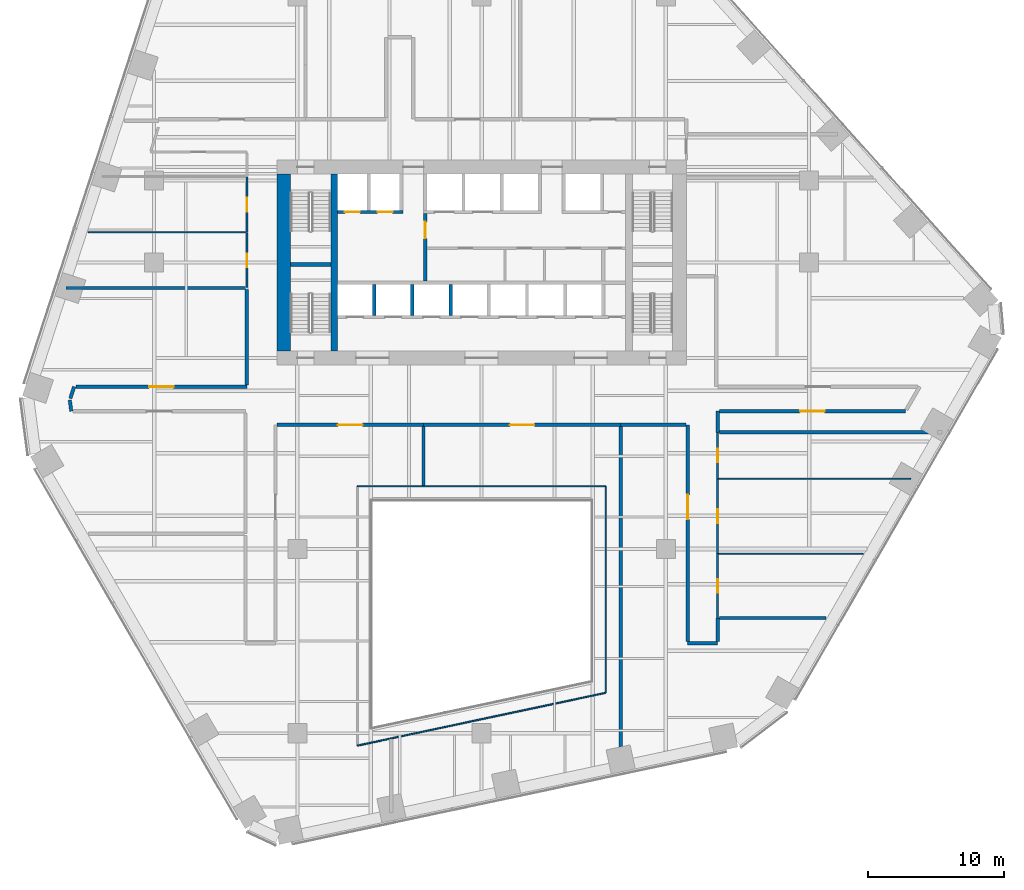
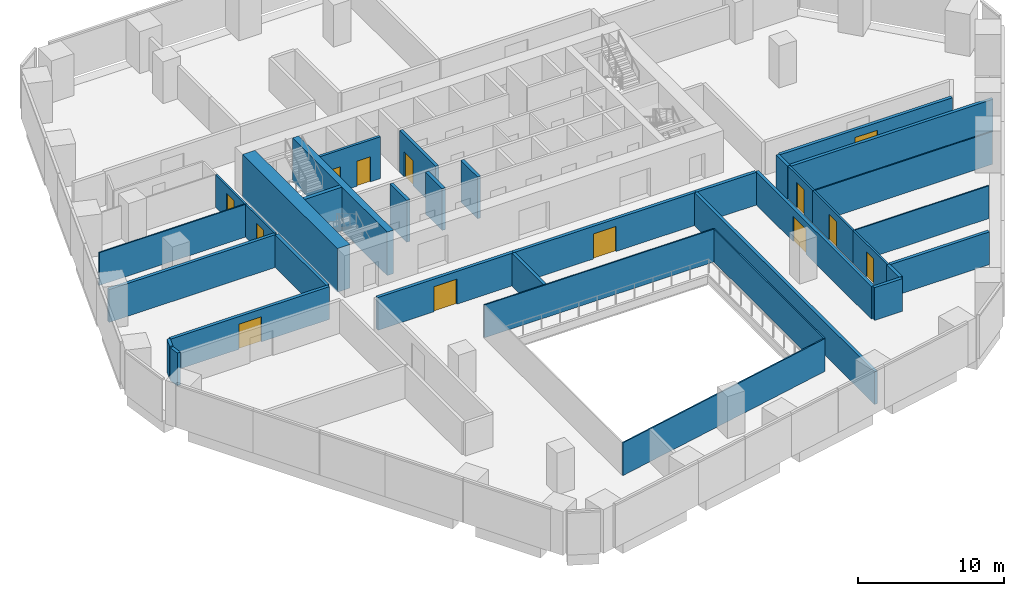
# One storey, part 14 of 20: 36 walls, 13 doors, 13 openings.
"""IFC4 building model written with IfcOpenShell, lengths in metres."""

from ifc_helpers import new_model, si_unit, direction, frame, frame_2d, origin, place, context, subcontext, project, spatial, rectangle, extrude, material, layer, layer_set, type_object, element, fill, save


model = new_model("IFC4")

# Units and contexts
model_context = context("Model", 3, precision=1e-05, world=origin(), true_north=direction((0.0, 1.0)))
body_context = subcontext(model_context, "Body", "Model", "MODEL_VIEW")
ifc_project = project(units=[si_unit("LENGTHUNIT", "METRE"), si_unit("AREAUNIT", "SQUARE_METRE"), si_unit("VOLUMEUNIT", "CUBIC_METRE"), si_unit("PLANEANGLEUNIT", "RADIAN"), si_unit("MASSUNIT", "GRAM", prefix="KILO")], contexts=[model_context])

# Site, building, storey
site_placement = place(None, origin())
site = spatial("IfcSite", under=ifc_project, at=site_placement, CompositionType="ELEMENT")
building_placement = place(site_placement, origin())
building = spatial("IfcBuilding", under=site, at=building_placement, Name="Isthmus Gate Tower", CompositionType="ELEMENT")
storey_placement = place(building_placement, frame((0.0, 0.0, 61.550048828125)))
storey = spatial("IfcBuildingStorey", under=building, at=storey_placement, Name="L13", CompositionType="ELEMENT", Elevation=61.550048828125)

# Wall, opening, door
ifc_material_1 = material(Name="Double-leaf acoustic stud wall, fire-rated", Category="gypsum")
ifc_layer_1 = layer(ifc_material_1, 0.25)
ifc_layer_set_1 = layer_set([ifc_layer_1], Name="ACOUSTIC WALL 250 60 MIN")
wall_type_1 = type_object("IfcWallType", Name="ACOUSTIC WALL 250 60 MIN", PredefinedType="PARTITIONING", material=ifc_layer_set_1)
wall_1_placement = place(storey_placement, frame((-4.2548828125, -4.39990234375, 0.0), z_axis=(0.0, 0.0, 1.0), x_axis=(-1.0, 0.0, 0.0)))
wall_1 = element("IfcWall", 1, at=wall_1_placement, inside=storey, type_object=wall_type_1, Name="L13 Acoustic Wall 250 60 Min", PredefinedType="PARTITIONING", context=body_context, shape_type="SweptSolid", body=[
    extrude(rectangle(XDim=10.72021484375, YDim=0.25, at=frame_2d((5.360107421875, 0.0))), origin(), (0.0, 0.0, 1.0), 2.7412109375),
])
opening_1_placement = place(wall_1_placement, frame((4.472412109375, 0.0, 0.0)))
opening_1 = element("IfcOpeningElement", 2, at=opening_1_placement, cuts=wall_1, Name="Opening DT-T1C-15", PredefinedType="OPENING", context=body_context, shape_type="SweptSolid", body=[
    extrude(rectangle(XDim=1.800048828125, YDim=2.10009765625, at=frame_2d((0.89990234375, 1.050048828125))), frame((0.0, 0.135009765625, 0.0), z_axis=(0.0, -1.0, 0.0), x_axis=(1.0, 0.0, 0.0)), (0.0, 0.0, 1.0), 0.27001953125),
])
ifc_material_2 = material(Name="Solid core timber door leaf, fire-rated", Category="wood")
door_type_1 = type_object("IfcDoorType", Name="FIRE DOOR ACOUSTIC ROOM 1800 X 2100 60 MIN", OperationType="DOUBLE_DOOR_DOUBLE_SWING", PredefinedType="DOOR", material=ifc_material_2)
door_1_placement = place(opening_1_placement, origin())
door_1 = element("IfcDoor", 3, at=door_1_placement, inside=storey, type_object=door_type_1, Name="L13 room door", OperationType="DOUBLE_DOOR_DOUBLE_SWING", OverallHeight=2.10009765625, OverallWidth=1.800048828125, PredefinedType="DOOR", context=body_context, shape_type="SweptSolid", body=[
    extrude(rectangle(XDim=1.800048828125, YDim=2.10009765625, at=frame_2d((0.89990234375, 1.050048828125))), frame((0.0, 0.02490234375, 0.0), z_axis=(0.0, -1.0, 0.0), x_axis=(1.0, 0.0, 0.0)), (0.0, 0.0, 1.0), 0.050048828125),
])
fill(opening_1, door_1)

wall_2_placement = place(storey_placement, frame((10.19189453125, -4.39990234375, 0.0), z_axis=(0.0, 0.0, 1.0), x_axis=(-1.0, 0.0, 0.0)))
wall_2 = element("IfcWall", 4, at=wall_2_placement, inside=storey, type_object=wall_type_1, Name="L13 Acoustic Wall 250 60 Min", PredefinedType="PARTITIONING", context=body_context, shape_type="SweptSolid", body=[
    extrude(rectangle(XDim=14.44677734375, YDim=0.25, at=frame_2d((7.223388671875, 0.0))), origin(), (0.0, 0.0, 1.0), 2.7412109375),
])
opening_2_placement = place(wall_2_placement, frame((6.323486328125, 0.0, 0.0)))
opening_2 = element("IfcOpeningElement", 5, at=opening_2_placement, cuts=wall_2, Name="Opening DT-T1C-16", PredefinedType="OPENING", context=body_context, shape_type="SweptSolid", body=[
    extrude(rectangle(XDim=1.800048828125, YDim=2.10009765625, at=frame_2d((0.89990234375, 1.050048828125))), frame((0.0, 0.135009765625, 0.0), z_axis=(0.0, -1.0, 0.0), x_axis=(1.0, 0.0, 0.0)), (0.0, 0.0, 1.0), 0.27001953125),
])
door_2_placement = place(opening_2_placement, origin())
door_2 = element("IfcDoor", 6, at=door_2_placement, inside=storey, type_object=door_type_1, Name="L13 room door", OperationType="DOUBLE_DOOR_DOUBLE_SWING", OverallHeight=2.10009765625, OverallWidth=1.800048828125, PredefinedType="DOOR", context=body_context, shape_type="SweptSolid", body=[
    extrude(rectangle(XDim=1.800048828125, YDim=2.10009765625, at=frame_2d((0.89990234375, 1.050048828125))), frame((0.0, 0.02490234375, 0.0), z_axis=(0.0, -1.0, 0.0), x_axis=(1.0, 0.0, 0.0)), (0.0, 0.0, 1.0), 0.050048828125),
])
fill(opening_2, door_2)

# Walls
wall_3_placement = place(storey_placement, frame((14.97509765625, -4.39990234375, 0.0), z_axis=(0.0, 0.0, 1.0), x_axis=(-1.0, 0.0, 0.0)))
element("IfcWall", 7, at=wall_3_placement, inside=storey, type_object=wall_type_1, Name="L13 Acoustic Wall 250 60 Min", PredefinedType="PARTITIONING", context=body_context, shape_type="SweptSolid", body=[
    extrude(rectangle(XDim=4.783203125, YDim=0.25, at=frame_2d((2.3916015625, 0.0))), origin(), (0.0, 0.0, 1.0), 2.7412109375),
])
wall_4_placement = place(storey_placement, frame((-30.069091796875, -3.39990234375, 0.0), z_axis=(0.0, 0.0, 1.0), x_axis=(-0.129642868584, 0.991560752867, 0.0)))
element("IfcWall", 8, at=wall_4_placement, inside=storey, type_object=wall_type_1, Name="L13 Acoustic Wall 250 60 Min", PredefinedType="PARTITIONING", context=body_context, shape_type="SweptSolid", body=[
    extrude(rectangle(XDim=0.824951171875, YDim=0.25, at=frame_2d((0.41259765625, 0.0))), origin(), (0.0, 0.0, 1.0), 2.7412109375),
])
wall_5_placement = place(storey_placement, frame((17.302001953125, -3.39990234375, 0.0), z_axis=(0.0, 0.0, 1.0), x_axis=(-0.00125845425, -0.999999208146, 0.0)))
element("IfcWall", 9, at=wall_5_placement, inside=storey, type_object=wall_type_1, Name="L13 Acoustic Wall 250 60 Min", PredefinedType="PARTITIONING", context=body_context, shape_type="SweptSolid", body=[
    extrude(rectangle(XDim=1.552001953125, YDim=0.25, at=frame_2d((0.77587890625, 0.0))), origin(), (0.0, 0.0, 1.0), 2.7412109375),
])

# Wall, opening, door
wall_6_placement = place(storey_placement, frame((31.06103515625, -3.39990234375, 0.0), z_axis=(0.0, 0.0, 1.0), x_axis=(-1.0, 0.0, 0.0)))
wall_6 = element("IfcWall", 10, at=wall_6_placement, inside=storey, type_object=wall_type_1, Name="L13 Acoustic Wall 250 60 Min", PredefinedType="PARTITIONING", context=body_context, shape_type="SweptSolid", body=[
    extrude(rectangle(XDim=13.634033203125, YDim=0.25, at=frame_2d((6.81689453125, 0.0))), origin(), (0.0, 0.0, 1.0), 2.7412109375),
])
opening_3_placement = place(wall_6_placement, frame((5.9169921875, 0.0, 0.0)))
opening_3 = element("IfcOpeningElement", 11, at=opening_3_placement, cuts=wall_6, Name="Opening DT-T1C-09", PredefinedType="OPENING", context=body_context, shape_type="SweptSolid", body=[
    extrude(rectangle(XDim=1.800048828125, YDim=2.10009765625, at=frame_2d((0.89990234375, 1.050048828125))), frame((0.0, 0.135009765625, 0.0), z_axis=(0.0, -1.0, 0.0), x_axis=(1.0, 0.0, 0.0)), (0.0, 0.0, 1.0), 0.27001953125),
])
door_3_placement = place(opening_3_placement, origin())
door_3 = element("IfcDoor", 12, at=door_3_placement, inside=storey, type_object=door_type_1, Name="L13 room door", OperationType="DOUBLE_DOOR_DOUBLE_SWING", OverallHeight=2.10009765625, OverallWidth=1.800048828125, PredefinedType="DOOR", context=body_context, shape_type="SweptSolid", body=[
    extrude(rectangle(XDim=1.800048828125, YDim=2.10009765625, at=frame_2d((0.89990234375, 1.050048828125))), frame((0.0, 0.02490234375, 0.0), z_axis=(0.0, -1.0, 0.0), x_axis=(1.0, 0.0, 0.0)), (0.0, 0.0, 1.0), 0.050048828125),
])
fill(opening_3, door_3)

# Walls
wall_7_placement = place(storey_placement, frame((17.300048828125, -20.39990234375, 0.0), z_axis=(0.0, 0.0, 1.0), x_axis=(-1.0, 0.0, 0.0)))
element("IfcWall", 13, at=wall_7_placement, inside=storey, type_object=wall_type_1, Name="L13 Acoustic Wall 250 60 Min", PredefinedType="PARTITIONING", context=body_context, shape_type="SweptSolid", body=[
    extrude(rectangle(XDim=2.199951171875, YDim=0.25, at=frame_2d((1.10009765625, 0.0))), origin(), (0.0, 0.0, 1.0), 2.7412109375),
])
wall_8_placement = place(storey_placement, frame((17.300048828125, -18.549072265625, 0.0), z_axis=(0.0, 0.0, 1.0), x_axis=(0.0, -1.0, 0.0)))
element("IfcWall", 14, at=wall_8_placement, inside=storey, type_object=wall_type_1, Name="L13 Acoustic Wall 250 60 Min", PredefinedType="PARTITIONING", context=body_context, shape_type="SweptSolid", body=[
    extrude(rectangle(XDim=1.725830078125, YDim=0.25, at=frame_2d((0.86279296875, 0.0))), origin(), (0.0, 0.0, 1.0), 2.7412109375),
])
wall_9_placement = place(storey_placement, frame((-30.450927734375, 5.6298828125, 0.0), z_axis=(0.0, 0.0, 1.0), x_axis=(1.0, 0.0, 0.0)))
element("IfcWall", 15, at=wall_9_placement, inside=storey, type_object=wall_type_1, Name="L13 Acoustic Wall 250 60 Min", PredefinedType="PARTITIONING", context=body_context, shape_type="SweptSolid", body=[
    extrude(rectangle(XDim=13.176025390625, YDim=0.25, at=frame_2d((6.587890625, 0.0))), origin(), (0.0, 0.0, 1.0), 2.7412109375),
])
wall_10_placement = place(storey_placement, frame((33.39794921875, -4.951904296875, 0.0), z_axis=(0.0, 0.0, 1.0), x_axis=(-1.0, 0.0, 0.0)))
element("IfcWall", 16, at=wall_10_placement, inside=storey, type_object=wall_type_1, Name="L13 Acoustic Wall 250 60 Min", PredefinedType="PARTITIONING", context=body_context, shape_type="SweptSolid", body=[
    extrude(rectangle(XDim=15.972900390625, YDim=0.25, at=frame_2d((7.986328125, 0.0))), origin(), (0.0, 0.0, 1.0), 2.7412109375),
])
wall_11_placement = place(storey_placement, frame((-30.13720703125, -2.463134765625, 0.0), z_axis=(0.0, 0.0, 1.0), x_axis=(0.309846187565, 0.950786695348, 0.0)))
element("IfcWall", 17, at=wall_11_placement, inside=storey, type_object=wall_type_1, Name="L13 Acoustic Wall 250 60 Min", PredefinedType="PARTITIONING", context=body_context, shape_type="SweptSolid", body=[
    extrude(rectangle(XDim=0.90771484375, YDim=0.25, at=frame_2d((0.453857421875, 0.0))), origin(), (0.0, 0.0, 1.0), 2.7412109375),
])

# Wall, opening, door
wall_12_placement = place(storey_placement, frame((-29.73095703125, -1.60009765625, 0.0), z_axis=(0.0, 0.0, 1.0), x_axis=(1.0, 0.0, 0.0)))
wall_12 = element("IfcWall", 18, at=wall_12_placement, inside=storey, type_object=wall_type_1, Name="L13 Acoustic Wall 250 60 Min", PredefinedType="PARTITIONING", context=body_context, shape_type="SweptSolid", body=[
    extrude(rectangle(XDim=12.531005859375, YDim=0.25, at=frame_2d((6.265625, 0.0))), origin(), (0.0, 0.0, 1.0), 2.7412109375),
])
opening_4_placement = place(wall_12_placement, frame((5.365478515625, 0.0, 0.0)))
opening_4 = element("IfcOpeningElement", 19, at=opening_4_placement, cuts=wall_12, Name="Opening DT-T1C-11", PredefinedType="OPENING", context=body_context, shape_type="SweptSolid", body=[
    extrude(rectangle(XDim=1.800048828125, YDim=2.10009765625, at=frame_2d((0.89990234375, 1.050048828125))), frame((0.0, 0.135009765625, 0.0), z_axis=(0.0, -1.0, 0.0), x_axis=(1.0, 0.0, 0.0)), (0.0, 0.0, 1.0), 0.27001953125),
])
door_4_placement = place(opening_4_placement, origin())
door_4 = element("IfcDoor", 20, at=door_4_placement, inside=storey, type_object=door_type_1, Name="L13 room door", OperationType="DOUBLE_DOOR_DOUBLE_SWING", OverallHeight=2.10009765625, OverallWidth=1.800048828125, PredefinedType="DOOR", context=body_context, shape_type="SweptSolid", body=[
    extrude(rectangle(XDim=1.800048828125, YDim=2.10009765625, at=frame_2d((0.89990234375, 1.050048828125))), frame((0.0, 0.02490234375, 0.0), z_axis=(0.0, -1.0, 0.0), x_axis=(1.0, 0.0, 0.0)), (0.0, 0.0, 1.0), 0.050048828125),
])
fill(opening_4, door_4)

# Walls
wall_13_placement = place(storey_placement, frame((-17.199951171875, -1.47509765625, 0.0), z_axis=(0.0, 0.0, 1.0), x_axis=(0.0, 1.0, 0.0)))
element("IfcWall", 21, at=wall_13_placement, inside=storey, type_object=wall_type_1, Name="L13 Acoustic Wall 250 60 Min", PredefinedType="PARTITIONING", context=body_context, shape_type="SweptSolid", body=[
    extrude(rectangle(XDim=6.97998046875, YDim=0.25, at=frame_2d((3.489990234375, 0.0))), origin(), (0.0, 0.0, 1.0), 2.7412109375),
])
wall_14_placement = place(storey_placement, frame((-4.2548828125, -8.85009765625, 0.0), z_axis=(0.0, 0.0, 1.0), x_axis=(0.0, 1.0, 0.0)))
element("IfcWall", 22, at=wall_14_placement, inside=storey, type_object=wall_type_1, Name="L13 Acoustic Wall 250 60 Min", PredefinedType="PARTITIONING", context=body_context, shape_type="SweptSolid", body=[
    extrude(rectangle(XDim=4.3251953125, YDim=0.25, at=frame_2d((2.16259765625, 0.0))), origin(), (0.0, 0.0, 1.0), 2.7412109375),
])
wall_15_placement = place(storey_placement, frame((10.19189453125, -29.219970703125, 0.0), z_axis=(0.0, 0.0, 1.0), x_axis=(0.0, 1.0, 0.0)))
element("IfcWall", 23, at=wall_15_placement, inside=storey, type_object=wall_type_1, Name="L13 Acoustic Wall 250 60 Min", PredefinedType="PARTITIONING", context=body_context, shape_type="SweptSolid", body=[
    extrude(rectangle(XDim=24.695068359375, YDim=0.25, at=frame_2d((12.34765625, 0.0))), origin(), (0.0, 0.0, 1.0), 2.7412109375),
])

# Wall, opening, door
wall_16_placement = place(storey_placement, frame((15.10009765625, -20.27490234375, 0.0), z_axis=(0.0, 0.0, 1.0), x_axis=(0.0, 1.0, 0.0)))
wall_16 = element("IfcWall", 24, at=wall_16_placement, inside=storey, type_object=wall_type_1, Name="L13 Acoustic Wall 250 60 Min", PredefinedType="PARTITIONING", context=body_context, shape_type="SweptSolid", body=[
    extrude(rectangle(XDim=15.875, YDim=0.25, at=frame_2d((7.9375, 0.0))), origin(), (0.0, 0.0, 1.0), 2.7412109375),
])
opening_5_placement = place(wall_16_placement, frame((8.9423828125, 0.0, 0.0)))
opening_5 = element("IfcOpeningElement", 25, at=opening_5_placement, cuts=wall_16, Name="Opening DT-T1C-17", PredefinedType="OPENING", context=body_context, shape_type="SweptSolid", body=[
    extrude(rectangle(XDim=1.800048828125, YDim=2.10009765625, at=frame_2d((0.89990234375, 1.050048828125))), frame((0.0, 0.135009765625, 0.0), z_axis=(0.0, -1.0, 0.0), x_axis=(1.0, 0.0, 0.0)), (0.0, 0.0, 1.0), 0.27001953125),
])
door_5_placement = place(opening_5_placement, origin())
door_5 = element("IfcDoor", 26, at=door_5_placement, inside=storey, type_object=door_type_1, Name="L13 room door", OperationType="DOUBLE_DOOR_DOUBLE_SWING", OverallHeight=2.10009765625, OverallWidth=1.800048828125, PredefinedType="DOOR", context=body_context, shape_type="SweptSolid", body=[
    extrude(rectangle(XDim=1.800048828125, YDim=2.10009765625, at=frame_2d((0.89990234375, 1.050048828125))), frame((0.0, 0.02490234375, 0.0), z_axis=(0.0, -1.0, 0.0), x_axis=(1.0, 0.0, 0.0)), (0.0, 0.0, 1.0), 0.050048828125),
])
fill(opening_5, door_5)

# Walls
wall_17_placement = place(storey_placement, frame((17.425048828125, -18.549072265625, 0.0), z_axis=(0.0, 0.0, 1.0), x_axis=(1.0, 0.0, 0.0)))
element("IfcWall", 27, at=wall_17_placement, inside=storey, type_object=wall_type_1, Name="L13 Acoustic Wall 250 60 Min", PredefinedType="PARTITIONING", context=body_context, shape_type="SweptSolid", body=[
    extrude(rectangle(XDim=7.822998046875, YDim=0.25, at=frame_2d((3.91162109375, 0.0))), origin(), (0.0, 0.0, 1.0), 2.7412109375),
])
ifc_material_3 = material(Name="Fire-rated laminated glass in steel frame", Category="steel")
ifc_layer_2 = layer(ifc_material_3, 0.10009765625)
ifc_layer_set_2 = layer_set([ifc_layer_2], Name="ATRIUM SCREEN GLAZED WALL 100 120 MIN")
wall_type_2 = type_object("IfcWallType", Name="ATRIUM SCREEN GLAZED WALL 100 120 MIN", PredefinedType="PARTITIONING", material=ifc_layer_set_2)
wall_18_placement = place(storey_placement, frame((-9.10009765625, -8.89990234375, 0.0), z_axis=(0.0, 0.0, 1.0), x_axis=(1.0, 0.0, 0.0)))
element("IfcWall", 28, at=wall_18_placement, inside=storey, type_object=wall_type_2, Name="L13 atrium screen", PredefinedType="PARTITIONING", context=body_context, shape_type="SweptSolid", body=[
    extrude(rectangle(XDim=18.2001953125, YDim=0.10009765625, at=frame_2d((9.10009765625, 0.0))), origin(), (0.0, 0.0, 1.0), 2.7412109375),
])
wall_19_placement = place(storey_placement, frame((9.10009765625, -8.89990234375, 0.0), z_axis=(0.0, 0.0, 1.0), x_axis=(0.0, -1.0, 0.0)))
element("IfcWall", 29, at=wall_19_placement, inside=storey, type_object=wall_type_2, Name="L13 atrium screen", PredefinedType="PARTITIONING", context=body_context, shape_type="SweptSolid", body=[
    extrude(rectangle(XDim=15.134033203125, YDim=0.10009765625, at=frame_2d((7.56689453125, 0.0))), origin(), (0.0, 0.0, 1.0), 2.7412109375),
])
wall_20_placement = place(storey_placement, frame((9.10009765625, -24.033935546875, 0.0), z_axis=(0.0, 0.0, 1.0), x_axis=(-0.978146710971, -0.207915876778, 0.0)))
element("IfcWall", 30, at=wall_20_placement, inside=storey, type_object=wall_type_2, Name="L13 atrium screen", PredefinedType="PARTITIONING", context=body_context, shape_type="SweptSolid", body=[
    extrude(rectangle(XDim=18.60693359375, YDim=0.10009765625, at=frame_2d((9.303466796875, 0.0))), origin(), (0.0, 0.0, 1.0), 2.7412109375),
])

# Wall, opening, door
ifc_material_4 = material(Name="Gypsum board on steel studs, fire-rated", Category="steel")
ifc_layer_3 = layer(ifc_material_4, 0.14990234375)
ifc_layer_set_3 = layer_set([ifc_layer_3], Name="CORRIDOR WALL 150 60 MIN")
wall_type_3 = type_object("IfcWallType", Name="CORRIDOR WALL 150 60 MIN", PredefinedType="PARTITIONING", material=ifc_layer_set_3)
wall_21_placement = place(storey_placement, frame((17.300048828125, -4.951904296875, 0.0), z_axis=(0.0, 0.0, 1.0), x_axis=(0.0, -1.0, 0.0)))
wall_21 = element("IfcWall", 31, at=wall_21_placement, inside=storey, type_object=wall_type_3, Name="L13 Corridor Wall 150 60 Min", PredefinedType="PARTITIONING", context=body_context, shape_type="SweptSolid", body=[
    extrude(rectangle(XDim=3.398193359375, YDim=0.14990234375, at=frame_2d((1.69921875, 0.0))), origin(), (0.0, 0.0, 1.0), 2.7412109375),
])
opening_6_placement = place(wall_21_placement, frame((1.198974609375, 0.0, 0.0)))
opening_6 = element("IfcOpeningElement", 32, at=opening_6_placement, cuts=wall_21, Name="Opening DT-T1C-12", PredefinedType="OPENING", context=body_context, shape_type="SweptSolid", body=[
    extrude(rectangle(XDim=1.0, YDim=2.10009765625, at=frame_2d((0.5, 1.050048828125))), frame((0.0, 0.0849609375, 0.0), z_axis=(0.0, -1.0, 0.0), x_axis=(1.0, 0.0, 0.0)), (0.0, 0.0, 1.0), 0.169921875),
])
ifc_material_5 = material(Name="Solid core timber door leaf, fire-rated", Category="wood")
door_type_2 = type_object("IfcDoorType", Name="FIRE DOOR ROOM 1000 X 2100 60 MIN", OperationType="SINGLE_SWING_LEFT", PredefinedType="DOOR", material=ifc_material_5)
door_6_placement = place(opening_6_placement, origin())
door_6 = element("IfcDoor", 33, at=door_6_placement, inside=storey, type_object=door_type_2, Name="L13 room door", OperationType="SINGLE_SWING_RIGHT", OverallHeight=2.10009765625, OverallWidth=1.0, PredefinedType="DOOR", context=body_context, shape_type="SweptSolid", body=[
    extrude(rectangle(XDim=1.0, YDim=2.10009765625, at=frame_2d((0.5, 1.050048828125))), frame((0.0, 0.02490234375, 0.0), z_axis=(0.0, -1.0, 0.0), x_axis=(1.0, 0.0, 0.0)), (0.0, 0.0, 1.0), 0.050048828125),
])
fill(opening_6, door_6)

wall_22_placement = place(storey_placement, frame((17.300048828125, -8.35009765625, 0.0), z_axis=(0.0, 0.0, 1.0), x_axis=(0.0, -1.0, 0.0)))
wall_22 = element("IfcWall", 34, at=wall_22_placement, inside=storey, type_object=wall_type_3, Name="L13 Corridor Wall 150 60 Min", PredefinedType="PARTITIONING", context=body_context, shape_type="SweptSolid", body=[
    extrude(rectangle(XDim=5.489013671875, YDim=0.14990234375, at=frame_2d((2.74462890625, 0.0))), origin(), (0.0, 0.0, 1.0), 2.7412109375),
])
opening_7_placement = place(wall_22_placement, frame((2.244384765625, 0.0, 0.0)))
opening_7 = element("IfcOpeningElement", 35, at=opening_7_placement, cuts=wall_22, Name="Opening DT-T1C-13", PredefinedType="OPENING", context=body_context, shape_type="SweptSolid", body=[
    extrude(rectangle(XDim=1.0, YDim=2.10009765625, at=frame_2d((0.5, 1.050048828125))), frame((0.0, 0.0849609375, 0.0), z_axis=(0.0, -1.0, 0.0), x_axis=(1.0, 0.0, 0.0)), (0.0, 0.0, 1.0), 0.169921875),
])
door_7_placement = place(opening_7_placement, origin())
door_7 = element("IfcDoor", 36, at=door_7_placement, inside=storey, type_object=door_type_2, Name="L13 room door", OperationType="SINGLE_SWING_RIGHT", OverallHeight=2.10009765625, OverallWidth=1.0, PredefinedType="DOOR", context=body_context, shape_type="SweptSolid", body=[
    extrude(rectangle(XDim=1.0, YDim=2.10009765625, at=frame_2d((0.5, 1.050048828125))), frame((0.0, 0.02490234375, 0.0), z_axis=(0.0, -1.0, 0.0), x_axis=(1.0, 0.0, 0.0)), (0.0, 0.0, 1.0), 0.050048828125),
])
fill(opening_7, door_7)

wall_23_placement = place(storey_placement, frame((17.300048828125, -13.839111328125, 0.0), z_axis=(0.0, 0.0, 1.0), x_axis=(0.0, -1.0, 0.0)))
wall_23 = element("IfcWall", 37, at=wall_23_placement, inside=storey, type_object=wall_type_3, Name="L13 Corridor Wall 150 60 Min", PredefinedType="PARTITIONING", context=body_context, shape_type="SweptSolid", body=[
    extrude(rectangle(XDim=4.7099609375, YDim=0.14990234375, at=frame_2d((2.35498046875, 0.0))), origin(), (0.0, 0.0, 1.0), 2.7412109375),
])
opening_8_placement = place(wall_23_placement, frame((1.85498046875, 0.0, 0.0)))
opening_8 = element("IfcOpeningElement", 38, at=opening_8_placement, cuts=wall_23, Name="Opening DT-T1C-18", PredefinedType="OPENING", context=body_context, shape_type="SweptSolid", body=[
    extrude(rectangle(XDim=1.0, YDim=2.10009765625, at=frame_2d((0.5, 1.050048828125))), frame((0.0, 0.0849609375, 0.0), z_axis=(0.0, -1.0, 0.0), x_axis=(1.0, 0.0, 0.0)), (0.0, 0.0, 1.0), 0.169921875),
])
door_8_placement = place(opening_8_placement, origin())
door_8 = element("IfcDoor", 39, at=door_8_placement, inside=storey, type_object=door_type_2, Name="L13 room door", OperationType="SINGLE_SWING_RIGHT", OverallHeight=2.10009765625, OverallWidth=1.0, PredefinedType="DOOR", context=body_context, shape_type="SweptSolid", body=[
    extrude(rectangle(XDim=1.0, YDim=2.10009765625, at=frame_2d((0.5, 1.050048828125))), frame((0.0, 0.02490234375, 0.0), z_axis=(0.0, -1.0, 0.0), x_axis=(1.0, 0.0, 0.0)), (0.0, 0.0, 1.0), 0.050048828125),
])
fill(opening_8, door_8)

wall_24_placement = place(storey_placement, frame((-17.199951171875, 9.714111328125, 0.0), z_axis=(0.0, 0.0, 1.0), x_axis=(0.0, 1.0, 0.0)))
wall_24 = element("IfcWall", 40, at=wall_24_placement, inside=storey, type_object=wall_type_3, Name="L13 Corridor Wall 150 60 Min", PredefinedType="PARTITIONING", context=body_context, shape_type="SweptSolid", body=[
    extrude(rectangle(XDim=4.034912109375, YDim=0.14990234375, at=frame_2d((2.017578125, 0.0))), origin(), (0.0, 0.0, 1.0), 2.7412109375),
])
opening_9_placement = place(wall_24_placement, frame((1.517578125, 0.0, 0.0)))
opening_9 = element("IfcOpeningElement", 41, at=opening_9_placement, cuts=wall_24, Name="Opening DT-T1C-06", PredefinedType="OPENING", context=body_context, shape_type="SweptSolid", body=[
    extrude(rectangle(XDim=1.0, YDim=2.10009765625, at=frame_2d((0.5, 1.050048828125))), frame((0.0, 0.0849609375, 0.0), z_axis=(0.0, -1.0, 0.0), x_axis=(1.0, 0.0, 0.0)), (0.0, 0.0, 1.0), 0.169921875),
])
door_9_placement = place(opening_9_placement, origin())
door_9 = element("IfcDoor", 42, at=door_9_placement, inside=storey, type_object=door_type_2, Name="L13 room door", OperationType="SINGLE_SWING_RIGHT", OverallHeight=2.10009765625, OverallWidth=1.0, PredefinedType="DOOR", context=body_context, shape_type="SweptSolid", body=[
    extrude(rectangle(XDim=1.0, YDim=2.10009765625, at=frame_2d((0.5, 1.050048828125))), frame((0.0, 0.02490234375, 0.0), z_axis=(0.0, -1.0, 0.0), x_axis=(1.0, 0.0, 0.0)), (0.0, 0.0, 1.0), 0.050048828125),
])
fill(opening_9, door_9)

wall_25_placement = place(storey_placement, frame((-17.199951171875, 5.679931640625, 0.0), z_axis=(0.0, 0.0, 1.0), x_axis=(0.0, 1.0, 0.0)))
wall_25 = element("IfcWall", 43, at=wall_25_placement, inside=storey, type_object=wall_type_3, Name="L13 Corridor Wall 150 60 Min", PredefinedType="PARTITIONING", context=body_context, shape_type="SweptSolid", body=[
    extrude(rectangle(XDim=3.984130859375, YDim=0.14990234375, at=frame_2d((1.9921875, 0.0))), origin(), (0.0, 0.0, 1.0), 2.7412109375),
])
opening_10_placement = place(wall_25_placement, frame((1.467041015625, 0.0, 0.0)))
opening_10 = element("IfcOpeningElement", 44, at=opening_10_placement, cuts=wall_25, Name="Opening DT-T1C-07", PredefinedType="OPENING", context=body_context, shape_type="SweptSolid", body=[
    extrude(rectangle(XDim=1.0, YDim=2.10009765625, at=frame_2d((0.5, 1.050048828125))), frame((0.0, 0.0849609375, 0.0), z_axis=(0.0, -1.0, 0.0), x_axis=(1.0, 0.0, 0.0)), (0.0, 0.0, 1.0), 0.169921875),
])
door_10_placement = place(opening_10_placement, origin())
door_10 = element("IfcDoor", 45, at=door_10_placement, inside=storey, type_object=door_type_2, Name="L13 room door", OperationType="SINGLE_SWING_RIGHT", OverallHeight=2.10009765625, OverallWidth=1.0, PredefinedType="DOOR", context=body_context, shape_type="SweptSolid", body=[
    extrude(rectangle(XDim=1.0, YDim=2.10009765625, at=frame_2d((0.5, 1.050048828125))), frame((0.0, 0.02490234375, 0.0), z_axis=(0.0, -1.0, 0.0), x_axis=(1.0, 0.0, 0.0)), (0.0, 0.0, 1.0), 0.050048828125),
])
fill(opening_10, door_10)

ifc_material_6 = material(Name="Fire-rated blockwork masonry, 15 MPa", Category="masonry")
ifc_layer_4 = layer(ifc_material_6, 0.25)
ifc_layer_set_4 = layer_set([ifc_layer_4], Name="FIRE-FIGHTING LOBBY WALL 250 90 MIN")
wall_type_4 = type_object("IfcWallType", Name="FIRE-FIGHTING LOBBY WALL 250 90 MIN", PredefinedType="PARTITIONING", material=ifc_layer_set_4)
wall_26_placement = place(storey_placement, frame((-4.125, 6.14990234375, 0.0), z_axis=(0.0, 0.0, 1.0), x_axis=(0.0, 1.0, 0.0)))
wall_26 = element("IfcWall", 46, at=wall_26_placement, inside=storey, type_object=wall_type_4, Name="L13 FIRE-FIGHTING LOBBY WALL 250 90 MIN", PredefinedType="PARTITIONING", context=body_context, shape_type="SweptSolid", body=[
    extrude(rectangle(XDim=4.9501953125, YDim=0.25, at=frame_2d((2.47509765625, 0.0))), origin(), (0.0, 0.0, 1.0), 3.5),
])
opening_11_placement = place(wall_26_placement, frame((3.125, 0.0, 0.0)))
opening_11 = element("IfcOpeningElement", 47, at=opening_11_placement, cuts=wall_26, Name="Opening DC-A02-01", PredefinedType="OPENING", context=body_context, shape_type="SweptSolid", body=[
    extrude(rectangle(XDim=1.199951171875, YDim=2.10009765625, at=frame_2d((0.60009765625, 1.050048828125))), frame((0.0, 0.135009765625, 0.0), z_axis=(0.0, -1.0, 0.0), x_axis=(1.0, 0.0, 0.0)), (0.0, 0.0, 1.0), 0.27001953125),
])
ifc_material_7 = material(Name="Steel door leaf, fire-rated", Category="steel")
door_type_3 = type_object("IfcDoorType", Name="LOBBY FIRE DOOR 1200 X 2100 90 MIN", OperationType="DOUBLE_DOOR_SINGLE_SWING", PredefinedType="DOOR", material=ifc_material_7)
door_11_placement = place(opening_11_placement, origin())
door_11 = element("IfcDoor", 48, at=door_11_placement, inside=storey, type_object=door_type_3, Name="Fire-fighting Lobby Door", OperationType="SINGLE_SWING_LEFT", OverallHeight=2.10009765625, OverallWidth=1.199951171875, PredefinedType="DOOR", context=body_context, shape_type="SweptSolid", body=[
    extrude(rectangle(XDim=1.199951171875, YDim=2.10009765625, at=frame_2d((0.60009765625, 1.050048828125))), frame((0.0, 0.02490234375, 0.0), z_axis=(0.0, -1.0, 0.0), x_axis=(1.0, 0.0, 0.0)), (0.0, 0.0, 1.0), 0.050048828125),
])
fill(opening_11, door_11)

# Walls
ifc_material_8 = material(Name="Concrete f'c 70 MPa", Category="concrete")
ifc_layer_5 = layer(ifc_material_8, 0.5)
ifc_layer_set_5 = layer_set([ifc_layer_5], Name="RC CORE SPINE WALL 500 F'C 70")
wall_type_5 = type_object("IfcWallType", Name="RC CORE SPINE WALL 500 F'C 70", PredefinedType="SOLIDWALL", material=ifc_layer_set_5)
wall_27_placement = place(storey_placement, frame((-10.800048828125, 1.0, -0.150146484375), z_axis=(0.0, 0.0, 1.0), x_axis=(0.0, 1.0, 0.0)))
element("IfcWall", 49, at=wall_27_placement, inside=storey, type_object=wall_type_5, Name="str-corewall-L13-SPW", PredefinedType="SOLIDWALL", context=body_context, shape_type="SweptSolid", body=[
    extrude(rectangle(XDim=13.0, YDim=0.5, at=frame_2d((6.5, 0.0))), origin(), (0.0, 0.0, 1.0), 3.650146484375),
])
ifc_material_9 = material(Name="Concrete f'c 70 MPa", Category="concrete")
ifc_layer_6 = layer(ifc_material_9, 1.0)
ifc_layer_set_6 = layer_set([ifc_layer_6], Name="RC CORE WALL 1000 F'C 70")
wall_type_6 = type_object("IfcWallType", Name="RC CORE WALL 1000 F'C 70", PredefinedType="SOLIDWALL", material=ifc_layer_set_6)
wall_28_placement = place(storey_placement, frame((-14.5, 1.0, -0.150146484375), z_axis=(0.0, 0.0, 1.0), x_axis=(0.0, 1.0, 0.0)))
element("IfcWall", 50, at=wall_28_placement, inside=storey, type_object=wall_type_6, Name="str-corewall-L13-W", PredefinedType="SOLIDWALL", context=body_context, shape_type="SweptSolid", body=[
    extrude(rectangle(XDim=13.0, YDim=1.0, at=frame_2d((6.5, 0.0))), origin(), (0.0, 0.0, 1.0), 3.650146484375),
])
ifc_material_10 = material(Name="Gypsum board on steel studs, fire-rated", Category="steel")
ifc_layer_7 = layer(ifc_material_10, 0.10009765625)
ifc_layer_set_7 = layer_set([ifc_layer_7], Name="ROOM PARTITION 100 30 MIN")
wall_type_7 = type_object("IfcWallType", Name="ROOM PARTITION 100 30 MIN", PredefinedType="PARTITIONING", material=ifc_layer_set_7)
wall_29_placement = place(storey_placement, frame((-28.823974609375, 9.714111328125, 0.0), z_axis=(0.0, 0.0, 1.0), x_axis=(1.0, 0.0, 0.0)))
element("IfcWall", 51, at=wall_29_placement, inside=storey, type_object=wall_type_7, Name="L13 Room Partition 100 30 Min", PredefinedType="PARTITIONING", context=body_context, shape_type="SweptSolid", body=[
    extrude(rectangle(XDim=11.549072265625, YDim=0.10009765625, at=frame_2d((5.7744140625, 0.0))), origin(), (0.0, 0.0, 1.0), 2.7412109375),
])
wall_30_placement = place(storey_placement, frame((17.375, -8.35009765625, 0.0), z_axis=(0.0, 0.0, 1.0), x_axis=(1.0, 0.0, 0.0)))
element("IfcWall", 52, at=wall_30_placement, inside=storey, type_object=wall_type_7, Name="L13 Room Partition 100 30 Min", PredefinedType="PARTITIONING", context=body_context, shape_type="SweptSolid", body=[
    extrude(rectangle(XDim=14.06201171875, YDim=0.10009765625, at=frame_2d((7.031005859375, 0.0))), origin(), (0.0, 0.0, 1.0), 2.7412109375),
])
wall_31_placement = place(storey_placement, frame((17.375, -13.839111328125, 0.0), z_axis=(0.0, 0.0, 1.0), x_axis=(1.0, 0.0, 0.0)))
element("IfcWall", 53, at=wall_31_placement, inside=storey, type_object=wall_type_7, Name="L13 Room Partition 100 30 Min", PredefinedType="PARTITIONING", context=body_context, shape_type="SweptSolid", body=[
    extrude(rectangle(XDim=10.592041015625, YDim=0.10009765625, at=frame_2d((5.2958984375, 0.0))), origin(), (0.0, 0.0, 1.0), 2.7412109375),
])

# Wall, openings, doors
ifc_material_11 = material(Name="Fire-rated blockwork masonry, 15 MPa", Category="masonry")
ifc_layer_8 = layer(ifc_material_11, 0.199951171875)
ifc_layer_set_8 = layer_set([ifc_layer_8], Name="SHAFT FRONT WALL 200 120 MIN")
wall_type_8 = type_object("IfcWallType", Name="SHAFT FRONT WALL 200 120 MIN", PredefinedType="PARTITIONING", material=ifc_layer_set_8)
wall_32_placement = place(storey_placement, frame((-10.550048828125, 11.199951171875, 0.0), z_axis=(0.0, 0.0, 1.0), x_axis=(1.0, 0.0, 0.0)))
wall_32 = element("IfcWall", 54, at=wall_32_placement, inside=storey, type_object=wall_type_8, Name="L13 SHAFT FRONT WALL 200 120 MIN", PredefinedType="PARTITIONING", context=body_context, shape_type="SweptSolid", body=[
    extrude(rectangle(XDim=4.800048828125, YDim=0.199951171875, at=frame_2d((2.39990234375, 0.0))), origin(), (0.0, 0.0, 1.0), 3.5),
])
opening_12_placement = place(wall_32_placement, frame((0.52490234375, 0.0, 0.0)))
opening_12 = element("IfcOpeningElement", 55, at=opening_12_placement, cuts=wall_32, Name="Opening LD-LF1", PredefinedType="OPENING", context=body_context, shape_type="SweptSolid", body=[
    extrude(rectangle(XDim=1.10009765625, YDim=2.10009765625, at=frame_2d((0.550048828125, 1.050048828125))), frame((0.0, 0.10986328125, 0.0), z_axis=(0.0, -1.0, 0.0), x_axis=(1.0, 0.0, 0.0)), (0.0, 0.0, 1.0), 0.219970703125),
])
opening_13_placement = place(wall_32_placement, frame((2.925048828125, 0.0, 0.0)))
opening_13 = element("IfcOpeningElement", 56, at=opening_13_placement, cuts=wall_32, Name="Opening LD-LF2", PredefinedType="OPENING", context=body_context, shape_type="SweptSolid", body=[
    extrude(rectangle(XDim=1.10009765625, YDim=2.10009765625, at=frame_2d((0.550048828125, 1.050048828125))), frame((0.0, 0.10986328125, 0.0), z_axis=(0.0, -1.0, 0.0), x_axis=(1.0, 0.0, 0.0)), (0.0, 0.0, 1.0), 0.219970703125),
])
ifc_material_12 = material(Name="Stainless steel sliding leaf", Category="steel")
door_type_4 = type_object("IfcDoorType", Name="LIFT LANDING FIRE DOOR 1100 X 2100 90 MIN", OperationType="DOUBLE_DOOR_SLIDING", PredefinedType="DOOR", material=ifc_material_12)
door_12_placement = place(opening_12_placement, origin())
door_12 = element("IfcDoor", 57, at=door_12_placement, inside=storey, type_object=door_type_4, Name="Lift Landing Door LF1", OperationType="DOUBLE_DOOR_SLIDING", OverallHeight=2.10009765625, OverallWidth=1.10009765625, PredefinedType="DOOR", context=body_context, shape_type="SweptSolid", body=[
    extrude(rectangle(XDim=1.10009765625, YDim=2.10009765625, at=frame_2d((0.550048828125, 1.050048828125))), frame((0.0, 0.02490234375, 0.0), z_axis=(0.0, -1.0, 0.0), x_axis=(1.0, 0.0, 0.0)), (0.0, 0.0, 1.0), 0.050048828125),
])
fill(opening_12, door_12)
door_13_placement = place(opening_13_placement, origin())
door_13 = element("IfcDoor", 58, at=door_13_placement, inside=storey, type_object=door_type_4, Name="Lift Landing Door LF2", OperationType="DOUBLE_DOOR_SLIDING", OverallHeight=2.10009765625, OverallWidth=1.10009765625, PredefinedType="DOOR", context=body_context, shape_type="SweptSolid", body=[
    extrude(rectangle(XDim=1.10009765625, YDim=2.10009765625, at=frame_2d((0.550048828125, 1.050048828125))), frame((0.0, 0.02490234375, 0.0), z_axis=(0.0, -1.0, 0.0), x_axis=(1.0, 0.0, 0.0)), (0.0, 0.0, 1.0), 0.050048828125),
])
fill(opening_13, door_13)

# Walls
ifc_material_13 = material(Name="Fire-rated blockwork masonry, 15 MPa", Category="masonry")
ifc_layer_9 = layer(ifc_material_13, 0.25)
ifc_layer_set_9 = layer_set([ifc_layer_9], Name="SHAFT WALL 250 120 MIN")
wall_type_9 = type_object("IfcWallType", Name="SHAFT WALL 250 120 MIN", PredefinedType="PARTITIONING", material=ifc_layer_set_9)
for number, where, z_axis, x_axis, name in (
    (59, (-7.875, 3.60009765625, 0.0), (0.0, 0.0, 1.0), (0.0, 1.0, 0.0), "L13 SHAFT WALL 250 120 MIN"),
    (60, (-5.074951171875, 3.60009765625, 0.0), (0.0, 0.0, 1.0), (0.0, 1.0, 0.0), "L13 SHAFT WALL 250 120 MIN"),
    (61, (-2.27490234375, 3.60009765625, 0.0), (0.0, 0.0, 1.0), (0.0, 1.0, 0.0), "L13 SHAFT WALL 250 120 MIN"),
):
    element("IfcWall", number, at=place(storey_placement, frame(where, z_axis=z_axis, x_axis=x_axis)), inside=storey, type_object=wall_type_9, Name=name, PredefinedType="PARTITIONING", context=body_context, shape_type="SweptSolid", body=[
        extrude(rectangle(XDim=2.2998046875, YDim=0.25, at=frame_2d((1.14990234375, 0.0))), origin(), (0.0, 0.0, 1.0), 3.5),
    ])
ifc_material_14 = material(Name="Concrete f'c 40 MPa", Category="concrete")
ifc_layer_10 = layer(ifc_material_14, 0.300048828125)
ifc_layer_set_10 = layer_set([ifc_layer_10], Name="STAIR ENCLOSURE WALL 300 180 MIN")
wall_type_10 = type_object("IfcWallType", Name="STAIR ENCLOSURE WALL 300 180 MIN", PredefinedType="SOLIDWALL", material=ifc_layer_set_10)
wall_33_placement = place(storey_placement, frame((-14.0, 7.35009765625, -0.150146484375), z_axis=(0.0, 0.0, 1.0), x_axis=(1.0, 0.0, 0.0)))
element("IfcWall", 62, at=wall_33_placement, inside=storey, type_object=wall_type_10, Name="L13 STAIR ENCLOSURE WALL 300 180 MIN", PredefinedType="SOLIDWALL", context=body_context, shape_type="SweptSolid", body=[
    extrude(rectangle(XDim=2.949951171875, YDim=0.300048828125, at=frame_2d((1.47509765625, 0.0))), origin(), (0.0, 0.0, 1.0), 3.650146484375),
])

save(model, "model.ifc")
